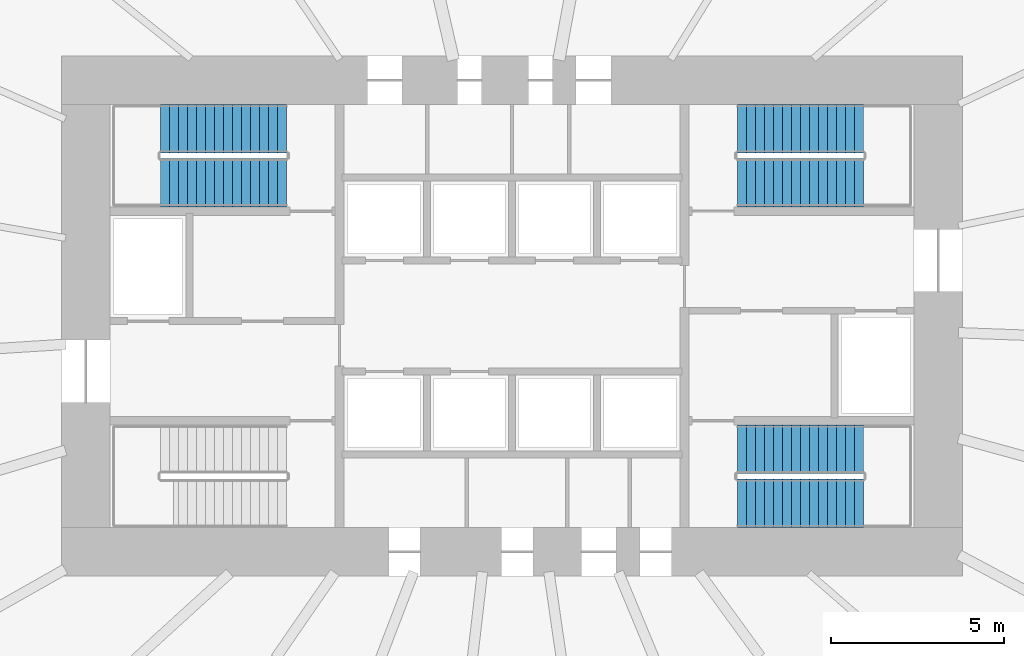
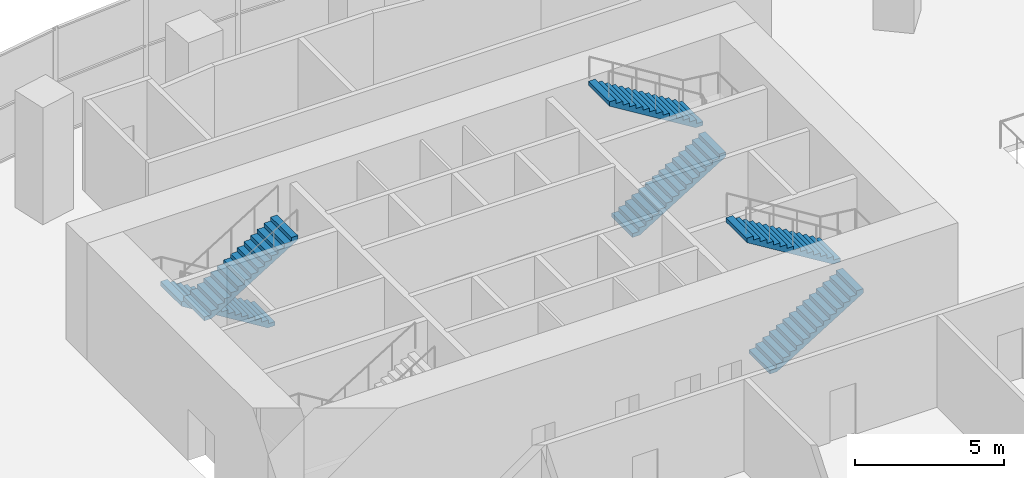
# One storey, part 14 of 17: 6 stair flights, 3 elements without a shape of their own.
"""IFC4 building model written with IfcOpenShell, lengths in metres."""

from ifc_helpers import new_model, si_unit, direction, frame, origin, place, context, subcontext, project, spatial, polyline, outline, extrude, material, type_object, element, aggregate, save


model = new_model("IFC4")

# Units and contexts
model_context = context("Model", 3, precision=1e-05, world=origin(), true_north=direction((0.0, 1.0)))
body_context = subcontext(model_context, "Body", "Model", "MODEL_VIEW")
ifc_project = project(units=[si_unit("LENGTHUNIT", "METRE"), si_unit("AREAUNIT", "SQUARE_METRE"), si_unit("VOLUMEUNIT", "CUBIC_METRE"), si_unit("PLANEANGLEUNIT", "RADIAN"), si_unit("MASSUNIT", "GRAM", prefix="KILO")], contexts=[model_context])

# Site, building, storey
site_placement = place(None, origin())
site = spatial("IfcSite", under=ifc_project, at=site_placement, CompositionType="ELEMENT")
building_placement = place(site_placement, origin())
building = spatial("IfcBuilding", under=site, at=building_placement, Name="Rubra Terraces Tower", CompositionType="ELEMENT")
storey_placement = place(building_placement, frame((0.0, 0.0, 28.199951171875)))
storey = spatial("IfcBuildingStorey", under=building, at=storey_placement, Name="L04", CompositionType="ELEMENT", Elevation=28.199951171875)

# Stair, stair flights
ifc_material = material(Name="Concrete C40", Category="concrete")
stair_type = type_object("IfcStairType", Name="Core stair 1400", PredefinedType="HALF_TURN_STAIR", material=ifc_material)
stair_1_placement = place(storey_placement, origin())
stair_1 = element("IfcStair", 1, at=stair_1_placement, inside=storey, type_object=stair_type, Name="L04 Exit stair S2", PredefinedType="HALF_TURN_STAIR")
stair_flight_type = type_object("IfcStairFlightType", Name="Core stair flight 1400", PredefinedType="STRAIGHT", material=ifc_material)
stair_flight_1_placement = place(storey_placement, frame((-6.5, 9.89990234375, 0.0), z_axis=(0.0, 0.0, 1.0), x_axis=(-1.0, 0.0, 0.0)))
stair_flight_1 = element("IfcStairFlight", 2, at=stair_flight_1_placement, type_object=stair_flight_type, Name="S2 flight 1", NumberOfRisers=15, NumberOfTreads=14, PredefinedType="STRAIGHT", RiserHeight=0.16, TreadLength=0.26, context=body_context, shape_type="SweptSolid", body=[
    extrude(outline(polyline([(0.0, 0.0), (0.0, 0.159912109375), (0.260009765625, 0.159912109375), (0.260009765625, 0.320068359375), (0.52001953125, 0.320068359375), (0.52001953125, 0.47998046875), (0.780029296875, 0.47998046875), (0.780029296875, 0.639892578125), (1.0400390625, 0.639892578125), (1.0400390625, 0.800048828125), (1.300048828125, 0.800048828125), (1.300048828125, 0.9599609375), (1.56005859375, 0.9599609375), (1.56005859375, 1.1201171875), (1.820068359375, 1.1201171875), (1.820068359375, 1.280029296875), (2.080078125, 1.280029296875), (2.080078125, 1.43994140625), (2.340087890625, 1.43994140625), (2.340087890625, 1.60009765625), (2.60009765625, 1.60009765625), (2.60009765625, 1.760009765625), (2.860107421875, 1.760009765625), (2.860107421875, 1.919921875), (3.1201171875, 1.919921875), (3.1201171875, 2.080078125), (3.3798828125, 2.080078125), (3.3798828125, 2.239990234375), (3.639892578125, 2.239990234375), (3.639892578125, 2.39990234375), (3.639892578125, 2.06396484375), (0.2861328125, 0.0), (0.0, 0.0)])), frame((0.0, 0.699951171875, 0.0), z_axis=(0.0, -1.0, 0.0), x_axis=(1.0, 0.0, 0.0)), (0.0, 0.0, 1.0), 1.39990234375),
])
stair_flight_2_placement = place(storey_placement, frame((-10.139892578125, 8.35009765625, 2.400146484375), z_axis=(0.0, 0.0, 1.0), x_axis=(1.0, 0.0, 0.0)))
stair_flight_2 = element("IfcStairFlight", 3, at=stair_flight_2_placement, type_object=stair_flight_type, Name="S2 flight 2", NumberOfRisers=15, NumberOfTreads=14, PredefinedType="STRAIGHT", RiserHeight=0.16, TreadLength=0.26, context=body_context, shape_type="SweptSolid", body=[
    extrude(outline(polyline([(0.0, 0.0), (0.0, 0.159912109375), (0.260009765625, 0.159912109375), (0.260009765625, 0.320068359375), (0.52001953125, 0.320068359375), (0.52001953125, 0.47998046875), (0.780029296875, 0.47998046875), (0.780029296875, 0.639892578125), (1.0400390625, 0.639892578125), (1.0400390625, 0.800048828125), (1.300048828125, 0.800048828125), (1.300048828125, 0.9599609375), (1.56005859375, 0.9599609375), (1.56005859375, 1.1201171875), (1.820068359375, 1.1201171875), (1.820068359375, 1.280029296875), (2.080078125, 1.280029296875), (2.080078125, 1.43994140625), (2.340087890625, 1.43994140625), (2.340087890625, 1.60009765625), (2.60009765625, 1.60009765625), (2.60009765625, 1.760009765625), (2.860107421875, 1.760009765625), (2.860107421875, 1.919921875), (3.1201171875, 1.919921875), (3.1201171875, 2.080078125), (3.3798828125, 2.080078125), (3.3798828125, 2.239990234375), (3.639892578125, 2.239990234375), (3.639892578125, 2.39990234375), (3.639892578125, 2.06396484375), (0.2861328125, 0.0), (0.0, 0.0)])), frame((0.0, 0.699951171875, 0.0), z_axis=(0.0, -1.0, 0.0), x_axis=(1.0, 0.0, 0.0)), (0.0, 0.0, 1.0), 1.39990234375),
])
aggregate(stair_1, [stair_flight_1, stair_flight_2])

stair_2_placement = place(storey_placement, origin())
stair_2 = element("IfcStair", 4, at=stair_2_placement, inside=storey, type_object=stair_type, Name="L04 Exit stair S3", PredefinedType="HALF_TURN_STAIR")
stair_flight_3_placement = place(storey_placement, frame((6.5, 8.35009765625, 0.0), z_axis=(0.0, 0.0, 1.0), x_axis=(1.0, 0.0, 0.0)))
stair_flight_3 = element("IfcStairFlight", 5, at=stair_flight_3_placement, type_object=stair_flight_type, Name="S3 flight 1", NumberOfRisers=15, NumberOfTreads=14, PredefinedType="STRAIGHT", RiserHeight=0.16, TreadLength=0.26, context=body_context, shape_type="SweptSolid", body=[
    extrude(outline(polyline([(0.0, 0.0), (0.0, 0.159912109375), (0.260009765625, 0.159912109375), (0.260009765625, 0.320068359375), (0.52001953125, 0.320068359375), (0.52001953125, 0.47998046875), (0.780029296875, 0.47998046875), (0.780029296875, 0.639892578125), (1.0400390625, 0.639892578125), (1.0400390625, 0.800048828125), (1.300048828125, 0.800048828125), (1.300048828125, 0.9599609375), (1.56005859375, 0.9599609375), (1.56005859375, 1.1201171875), (1.820068359375, 1.1201171875), (1.820068359375, 1.280029296875), (2.080078125, 1.280029296875), (2.080078125, 1.43994140625), (2.340087890625, 1.43994140625), (2.340087890625, 1.60009765625), (2.60009765625, 1.60009765625), (2.60009765625, 1.760009765625), (2.860107421875, 1.760009765625), (2.860107421875, 1.919921875), (3.1201171875, 1.919921875), (3.1201171875, 2.080078125), (3.3798828125, 2.080078125), (3.3798828125, 2.239990234375), (3.639892578125, 2.239990234375), (3.639892578125, 2.39990234375), (3.639892578125, 2.06396484375), (0.2861328125, 0.0), (0.0, 0.0)])), frame((0.0, 0.699951171875, 0.0), z_axis=(0.0, -1.0, 0.0), x_axis=(1.0, 0.0, 0.0)), (0.0, 0.0, 1.0), 1.39990234375),
])
stair_flight_4_placement = place(storey_placement, frame((10.139892578125, 9.89990234375, 2.400146484375), z_axis=(0.0, 0.0, 1.0), x_axis=(-1.0, 0.0, 0.0)))
stair_flight_4 = element("IfcStairFlight", 6, at=stair_flight_4_placement, type_object=stair_flight_type, Name="S3 flight 2", NumberOfRisers=15, NumberOfTreads=14, PredefinedType="STRAIGHT", RiserHeight=0.16, TreadLength=0.26, context=body_context, shape_type="SweptSolid", body=[
    extrude(outline(polyline([(0.0, 0.0), (0.0, 0.159912109375), (0.260009765625, 0.159912109375), (0.260009765625, 0.320068359375), (0.52001953125, 0.320068359375), (0.52001953125, 0.47998046875), (0.780029296875, 0.47998046875), (0.780029296875, 0.639892578125), (1.0400390625, 0.639892578125), (1.0400390625, 0.800048828125), (1.300048828125, 0.800048828125), (1.300048828125, 0.9599609375), (1.56005859375, 0.9599609375), (1.56005859375, 1.1201171875), (1.820068359375, 1.1201171875), (1.820068359375, 1.280029296875), (2.080078125, 1.280029296875), (2.080078125, 1.43994140625), (2.340087890625, 1.43994140625), (2.340087890625, 1.60009765625), (2.60009765625, 1.60009765625), (2.60009765625, 1.760009765625), (2.860107421875, 1.760009765625), (2.860107421875, 1.919921875), (3.1201171875, 1.919921875), (3.1201171875, 2.080078125), (3.3798828125, 2.080078125), (3.3798828125, 2.239990234375), (3.639892578125, 2.239990234375), (3.639892578125, 2.39990234375), (3.639892578125, 2.06396484375), (0.2861328125, 0.0), (0.0, 0.0)])), frame((0.0, 0.699951171875, 0.0), z_axis=(0.0, -1.0, 0.0), x_axis=(1.0, 0.0, 0.0)), (0.0, 0.0, 1.0), 1.39990234375),
])
aggregate(stair_2, [stair_flight_3, stair_flight_4])

stair_3_placement = place(storey_placement, origin())
stair_3 = element("IfcStair", 7, at=stair_3_placement, inside=storey, type_object=stair_type, Name="L04 Exit stair S4", PredefinedType="HALF_TURN_STAIR")
stair_flight_5_placement = place(storey_placement, frame((6.5, -0.89990234375, 0.0), z_axis=(0.0, 0.0, 1.0), x_axis=(1.0, 0.0, 0.0)))
stair_flight_5 = element("IfcStairFlight", 8, at=stair_flight_5_placement, type_object=stair_flight_type, Name="S4 flight 1", NumberOfRisers=15, NumberOfTreads=14, PredefinedType="STRAIGHT", RiserHeight=0.16, TreadLength=0.26, context=body_context, shape_type="SweptSolid", body=[
    extrude(outline(polyline([(0.0, 0.0), (0.0, 0.159912109375), (0.260009765625, 0.159912109375), (0.260009765625, 0.320068359375), (0.52001953125, 0.320068359375), (0.52001953125, 0.47998046875), (0.780029296875, 0.47998046875), (0.780029296875, 0.639892578125), (1.0400390625, 0.639892578125), (1.0400390625, 0.800048828125), (1.300048828125, 0.800048828125), (1.300048828125, 0.9599609375), (1.56005859375, 0.9599609375), (1.56005859375, 1.1201171875), (1.820068359375, 1.1201171875), (1.820068359375, 1.280029296875), (2.080078125, 1.280029296875), (2.080078125, 1.43994140625), (2.340087890625, 1.43994140625), (2.340087890625, 1.60009765625), (2.60009765625, 1.60009765625), (2.60009765625, 1.760009765625), (2.860107421875, 1.760009765625), (2.860107421875, 1.919921875), (3.1201171875, 1.919921875), (3.1201171875, 2.080078125), (3.3798828125, 2.080078125), (3.3798828125, 2.239990234375), (3.639892578125, 2.239990234375), (3.639892578125, 2.39990234375), (3.639892578125, 2.06396484375), (0.2861328125, 0.0), (0.0, 0.0)])), frame((0.0, 0.699951171875, 0.0), z_axis=(0.0, -1.0, 0.0), x_axis=(1.0, 0.0, 0.0)), (0.0, 0.0, 1.0), 1.39990234375),
])
stair_flight_6_placement = place(storey_placement, frame((10.139892578125, 0.64990234375, 2.400146484375), z_axis=(0.0, 0.0, 1.0), x_axis=(-1.0, 0.0, 0.0)))
stair_flight_6 = element("IfcStairFlight", 9, at=stair_flight_6_placement, type_object=stair_flight_type, Name="S4 flight 2", NumberOfRisers=15, NumberOfTreads=14, PredefinedType="STRAIGHT", RiserHeight=0.16, TreadLength=0.26, context=body_context, shape_type="SweptSolid", body=[
    extrude(outline(polyline([(0.0, 0.0), (0.0, 0.159912109375), (0.260009765625, 0.159912109375), (0.260009765625, 0.320068359375), (0.52001953125, 0.320068359375), (0.52001953125, 0.47998046875), (0.780029296875, 0.47998046875), (0.780029296875, 0.639892578125), (1.0400390625, 0.639892578125), (1.0400390625, 0.800048828125), (1.300048828125, 0.800048828125), (1.300048828125, 0.9599609375), (1.56005859375, 0.9599609375), (1.56005859375, 1.1201171875), (1.820068359375, 1.1201171875), (1.820068359375, 1.280029296875), (2.080078125, 1.280029296875), (2.080078125, 1.43994140625), (2.340087890625, 1.43994140625), (2.340087890625, 1.60009765625), (2.60009765625, 1.60009765625), (2.60009765625, 1.760009765625), (2.860107421875, 1.760009765625), (2.860107421875, 1.919921875), (3.1201171875, 1.919921875), (3.1201171875, 2.080078125), (3.3798828125, 2.080078125), (3.3798828125, 2.239990234375), (3.639892578125, 2.239990234375), (3.639892578125, 2.39990234375), (3.639892578125, 2.06396484375), (0.2861328125, 0.0), (0.0, 0.0)])), frame((0.0, 0.699951171875, 0.0), z_axis=(0.0, -1.0, 0.0), x_axis=(1.0, 0.0, 0.0)), (0.0, 0.0, 1.0), 1.39990234375),
])
aggregate(stair_3, [stair_flight_5, stair_flight_6])

save(model, "model.ifc")
